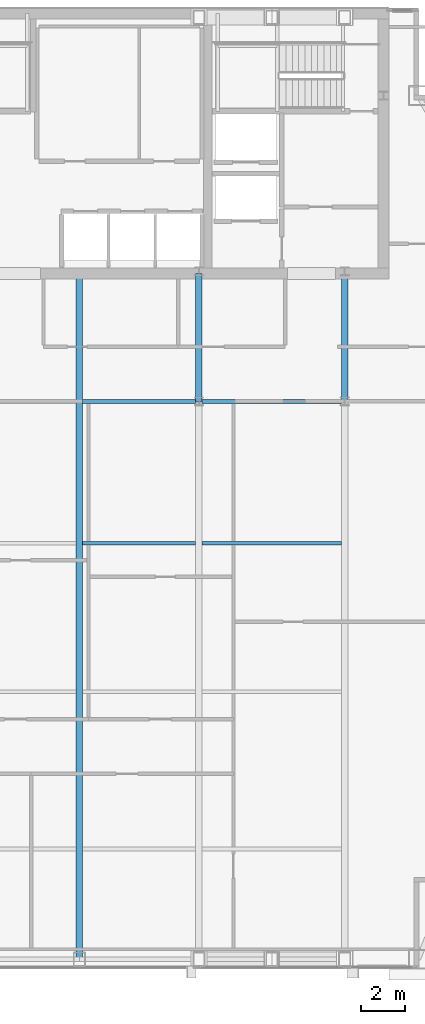
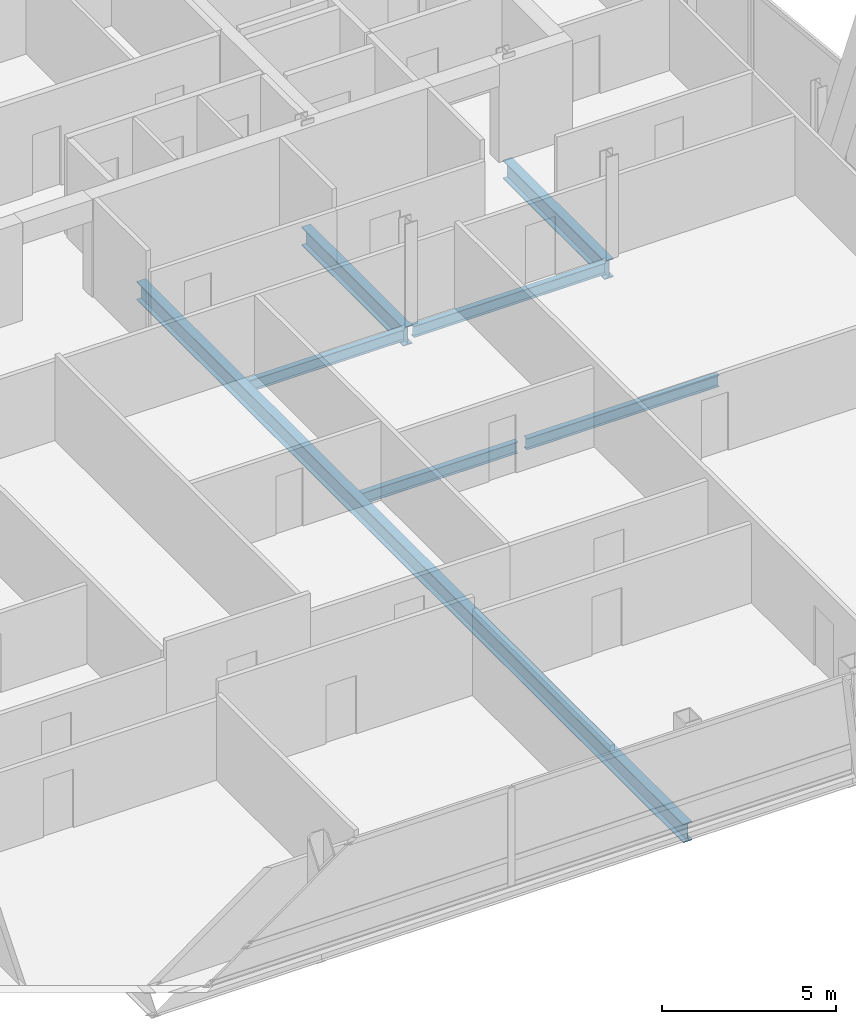
# One storey, part 15 of 28: 7 beams.
"""IFC4 building model written with IfcOpenShell, lengths in metres."""

from ifc_helpers import new_model, si_unit, direction, frame, origin, origin_2d, place, context, subcontext, project, spatial, i_section, extrude, material, material_profile, profile_set, type_object, element, save


model = new_model("IFC4")

# Units and contexts
model_context = context("Model", 3, precision=1e-05, world=origin(), true_north=direction((0.0, 1.0)))
body_context = subcontext(model_context, "Body", "Model", "MODEL_VIEW")
ifc_project = project(units=[si_unit("LENGTHUNIT", "METRE"), si_unit("AREAUNIT", "SQUARE_METRE"), si_unit("VOLUMEUNIT", "CUBIC_METRE"), si_unit("PLANEANGLEUNIT", "RADIAN"), si_unit("MASSUNIT", "GRAM", prefix="KILO")], contexts=[model_context])

# Site, building, storey
site_placement = place(None, origin())
site = spatial("IfcSite", under=ifc_project, at=site_placement, CompositionType="ELEMENT")
building_placement = place(site_placement, origin())
building = spatial("IfcBuilding", under=site, at=building_placement, Name="Khoronbel Lancet Exchange", CompositionType="ELEMENT")
storey_placement = place(building_placement, frame((0.0, 0.0, 291.39990234375)))
storey = spatial("IfcBuildingStorey", under=building, at=storey_placement, Name="L75", CompositionType="ELEMENT", Elevation=291.39990234375)

# Beams
ifc_material = material(Name="Steel S355", Category="steel")
ifc_material_profile_1 = material_profile(ifc_material, i_section(OverallWidth=0.300048828125, OverallDepth=0.64990234375, WebThickness=0.01611328125, FlangeThickness=0.031005859375, at=origin_2d()), Name="HEB 650")
ifc_profile_set_1 = profile_set([ifc_material_profile_1], Name="Steel S355")
beam_type_1 = type_object("IfcBeamType", Name="BM-BG4", PredefinedType="BEAM", material=ifc_profile_set_1)
beam_1_placement = place(storey_placement, frame((42.52490234375, 10.14990234375, -0.48486328125), z_axis=(0.0, 1.0, 0.0), x_axis=(-1.0, 0.0, 0.0)))
element("IfcBeam", 1, at=beam_1_placement, inside=storey, type_object=beam_type_1, Name="Level L75 primary floor girder G4", PredefinedType="BEAM", context=body_context, shape_type="SweptSolid", body=[
    extrude(i_section(OverallWidth=0.300048828125, OverallDepth=0.64990234375, WebThickness=0.01611328125, FlangeThickness=0.031005859375, at=origin_2d()), origin(), (0.0, 0.0, 1.0), 31.400146484375),
])
for number, where, z_axis, x_axis, name in (
    (2, (48.0, 35.699951171875, -0.48486328125), (0.0, 1.0, 0.0), (-1.0, 0.0, 0.0), "Level L75 spine tie girder GN5"),
    (3, (54.675048828125, 35.699951171875, -0.48486328125), (0.0, 1.0, 0.0), (-1.0, 0.0, 0.0), "Level L75 spine tie girder GN6"),
):
    element("IfcBeam", number, at=place(storey_placement, frame(where, z_axis=z_axis, x_axis=x_axis)), inside=storey, type_object=beam_type_1, Name=name, PredefinedType="BEAM", context=body_context, shape_type="SweptSolid", body=[
        extrude(i_section(OverallWidth=0.300048828125, OverallDepth=0.64990234375, WebThickness=0.01611328125, FlangeThickness=0.031005859375, at=origin_2d()), origin(), (0.0, 0.0, 1.0), 5.85009765625),
    ])
ifc_material_profile_2 = material_profile(ifc_material, i_section(OverallWidth=0.179931640625, OverallDepth=0.39990234375, WebThickness=0.008544921875, FlangeThickness=0.013427734375, at=origin_2d()), Name="IPE 400")
ifc_profile_set_2 = profile_set([ifc_material_profile_2], Name="Steel S355")
beam_type_2 = type_object("IfcBeamType", Name="BM-BJ5", PredefinedType="JOIST", material=ifc_profile_set_2)
beam_2_placement = place(storey_placement, frame((42.675048828125, 29.199951171875, -0.35986328125), z_axis=(1.0, 0.0, 0.0), x_axis=(0.0, 1.0, 0.0)))
element("IfcBeam", 4, at=beam_2_placement, inside=storey, type_object=beam_type_2, Name="Level L75 secondary composite joist J14", PredefinedType="JOIST", context=body_context, shape_type="SweptSolid", body=[
    extrude(i_section(OverallWidth=0.179931640625, OverallDepth=0.39990234375, WebThickness=0.008544921875, FlangeThickness=0.013427734375, at=origin_2d()), origin(), (0.0, 0.0, 1.0), 5.175048828125),
])
beam_3_placement = place(storey_placement, frame((48.14990234375, 29.199951171875, -0.35986328125), z_axis=(1.0, 0.0, 0.0), x_axis=(0.0, 1.0, 0.0)))
element("IfcBeam", 5, at=beam_3_placement, inside=storey, type_object=beam_type_2, Name="Level L75 secondary composite joist J15", PredefinedType="JOIST", context=body_context, shape_type="SweptSolid", body=[
    extrude(i_section(OverallWidth=0.179931640625, OverallDepth=0.39990234375, WebThickness=0.008544921875, FlangeThickness=0.013427734375, at=origin_2d()), origin(), (0.0, 0.0, 1.0), 6.375),
])
beam_4_placement = place(storey_placement, frame((42.675048828125, 35.699951171875, -0.35986328125), z_axis=(1.0, 0.0, 0.0), x_axis=(0.0, 1.0, 0.0)))
element("IfcBeam", 6, at=beam_4_placement, inside=storey, type_object=beam_type_2, Name="Level L75 secondary composite joist J19", PredefinedType="JOIST", context=body_context, shape_type="SweptSolid", body=[
    extrude(i_section(OverallWidth=0.179931640625, OverallDepth=0.39990234375, WebThickness=0.008544921875, FlangeThickness=0.013427734375, at=origin_2d()), origin(), (0.0, 0.0, 1.0), 5.175048828125),
])
beam_5_placement = place(storey_placement, frame((48.14990234375, 35.699951171875, -0.35986328125), z_axis=(1.0, 0.0, 0.0), x_axis=(0.0, 1.0, 0.0)))
element("IfcBeam", 7, at=beam_5_placement, inside=storey, type_object=beam_type_2, Name="Level L75 secondary composite joist J20", PredefinedType="JOIST", context=body_context, shape_type="SweptSolid", body=[
    extrude(i_section(OverallWidth=0.179931640625, OverallDepth=0.39990234375, WebThickness=0.008544921875, FlangeThickness=0.013427734375, at=origin_2d()), origin(), (0.0, 0.0, 1.0), 6.375),
])

save(model, "model.ifc")
